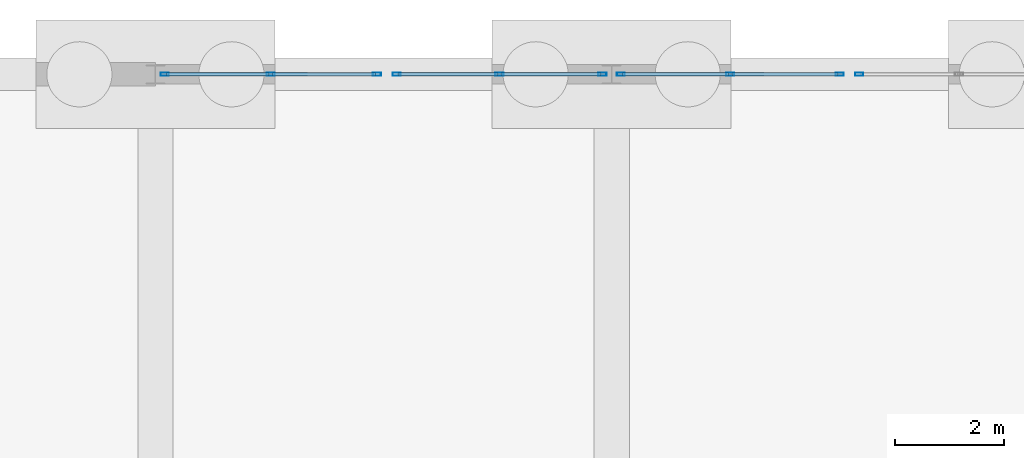
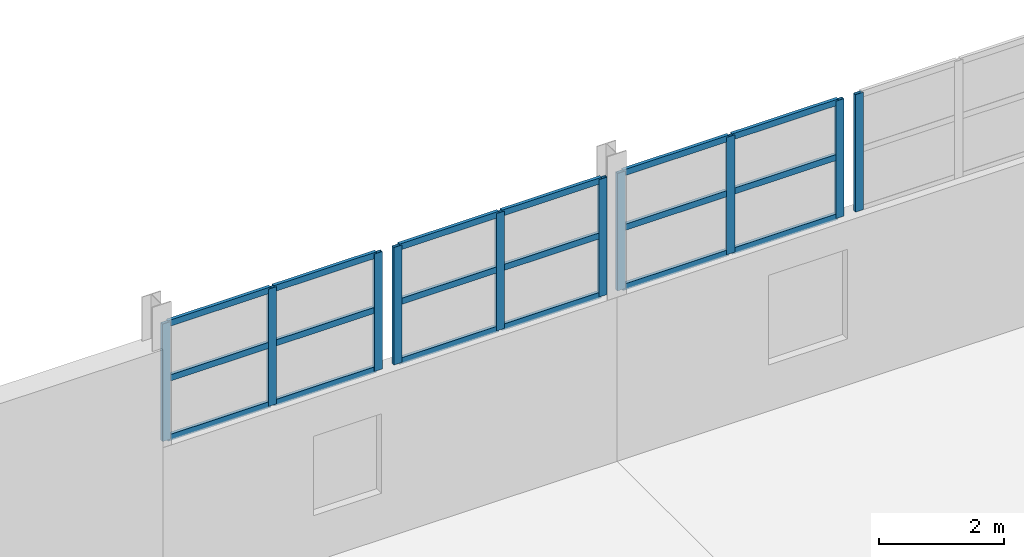
# One storey, part 98 of 139: 28 members, 4 elements without a shape of their own.
"""IFC4 building model written with IfcOpenShell, lengths in metres."""

from ifc_helpers import new_model, si_unit, direction, frame, origin, origin_2d, place, context, subcontext, project, spatial, hollow_rectangle, extrude, material, material_profile, profile_set, type_object, element, aggregate, save


model = new_model("IFC4")

# Units and contexts
model_context = context("Model", 3, precision=1e-05, world=origin(), true_north=direction((0.0, 1.0)))
body_context = subcontext(model_context, "Body", "Model", "MODEL_VIEW")
ifc_project = project(units=[si_unit("LENGTHUNIT", "METRE"), si_unit("AREAUNIT", "SQUARE_METRE"), si_unit("VOLUMEUNIT", "CUBIC_METRE"), si_unit("PLANEANGLEUNIT", "RADIAN"), si_unit("MASSUNIT", "GRAM", prefix="KILO")], contexts=[model_context])

# Site, building, storey
site_placement = place(None, origin())
site = spatial("IfcSite", under=ifc_project, at=site_placement, CompositionType="ELEMENT")
building_placement = place(site_placement, origin())
building = spatial("IfcBuilding", under=site, at=building_placement, Name="Kazenagashi Tramway Depot", CompositionType="ELEMENT")
storey_placement = place(building_placement, origin())
storey = spatial("IfcBuildingStorey", under=building, at=storey_placement, Name="L01", CompositionType="ELEMENT", Elevation=0.0)

# Curtain wall, members
ifc_material_1 = material(Name="Anodised Aluminium and Low-E Glazing", Category="aluminium")
curtain_wall_type_1 = type_object("IfcCurtainWallType", Name="CW-19", PredefinedType="USERDEFINED", material=ifc_material_1)
curtain_wall_1_placement = place(storey_placement, origin())
curtain_wall_1 = element("IfcCurtainWall", 1, at=curtain_wall_1_placement, inside=storey, type_object=curtain_wall_type_1, Name="Industrial Glazed Screen CW-19 CW-0076", ObjectType="GLAZED SCREEN", PredefinedType="USERDEFINED")
ifc_material_2 = material(Name="Anodised Aluminium", Category="aluminium")
ifc_material_profile_1 = material_profile(ifc_material_2, hollow_rectangle(XDim=0.06, YDim=0.15, WallThickness=0.004, at=origin_2d()), Name="RHS-150x60x4")
ifc_profile_set_1 = profile_set([ifc_material_profile_1], Name="Anodised Aluminium")
member_type_1 = type_object("IfcMemberType", Name="ML-01", PredefinedType="MULLION", material=ifc_profile_set_1)
member_1_placement = place(storey_placement, frame((128.97, 130.0, 3.2), z_axis=(0.0, 0.0, 1.0), x_axis=(0.0, 1.0, 0.0)))
member_1 = element("IfcMember", 2, at=member_1_placement, type_object=member_type_1, Name="CW-19 mullion 1", PredefinedType="MULLION", context=body_context, shape_type="SweptSolid", body=[
    extrude(hollow_rectangle(XDim=0.06, YDim=0.15, WallThickness=0.004, at=origin_2d()), origin(), (0.0, 0.0, 1.0), 2.292),
])
member_2_placement = place(storey_placement, frame((130.925, 130.0, 3.2), z_axis=(0.0, 0.0, 1.0), x_axis=(0.0, 1.0, 0.0)))
member_2 = element("IfcMember", 3, at=member_2_placement, type_object=member_type_1, Name="CW-19 mullion 2", PredefinedType="MULLION", context=body_context, shape_type="SweptSolid", body=[
    extrude(hollow_rectangle(XDim=0.06, YDim=0.15, WallThickness=0.004, at=origin_2d()), origin(), (0.0, 0.0, 1.0), 2.292),
])
member_3_placement = place(storey_placement, frame((132.88, 130.0, 3.2), z_axis=(0.0, 0.0, 1.0), x_axis=(0.0, 1.0, 0.0)))
member_3 = element("IfcMember", 4, at=member_3_placement, type_object=member_type_1, Name="CW-19 mullion 3", PredefinedType="MULLION", context=body_context, shape_type="SweptSolid", body=[
    extrude(hollow_rectangle(XDim=0.06, YDim=0.15, WallThickness=0.004, at=origin_2d()), origin(), (0.0, 0.0, 1.0), 2.292),
])

curtain_wall_type_2 = type_object("IfcCurtainWallType", Name="CW-18", PredefinedType="USERDEFINED", material=ifc_material_1)
curtain_wall_2_placement = place(storey_placement, origin())
curtain_wall_2 = element("IfcCurtainWall", 5, at=curtain_wall_2_placement, inside=storey, type_object=curtain_wall_type_2, Name="Industrial Glazed Screen CW-18 CW-0077", ObjectType="GLAZED SCREEN", PredefinedType="USERDEFINED")
member_4_placement = place(storey_placement, frame((133.24, 130.0, 3.2), z_axis=(0.0, 0.0, 1.0), x_axis=(0.0, 1.0, 0.0)))
member_4 = element("IfcMember", 6, at=member_4_placement, type_object=member_type_1, Name="CW-18 mullion 1", PredefinedType="MULLION", context=body_context, shape_type="SweptSolid", body=[
    extrude(hollow_rectangle(XDim=0.06, YDim=0.15, WallThickness=0.004, at=origin_2d()), origin(), (0.0, 0.0, 1.0), 2.292),
])
member_5_placement = place(storey_placement, frame((135.135, 130.0, 3.2), z_axis=(0.0, 0.0, 1.0), x_axis=(0.0, 1.0, 0.0)))
member_5 = element("IfcMember", 7, at=member_5_placement, type_object=member_type_1, Name="CW-18 mullion 2", PredefinedType="MULLION", context=body_context, shape_type="SweptSolid", body=[
    extrude(hollow_rectangle(XDim=0.06, YDim=0.15, WallThickness=0.004, at=origin_2d()), origin(), (0.0, 0.0, 1.0), 2.292),
])
member_6_placement = place(storey_placement, frame((137.03, 130.0, 3.2), z_axis=(0.0, 0.0, 1.0), x_axis=(0.0, 1.0, 0.0)))
member_6 = element("IfcMember", 8, at=member_6_placement, type_object=member_type_1, Name="CW-18 mullion 3", PredefinedType="MULLION", context=body_context, shape_type="SweptSolid", body=[
    extrude(hollow_rectangle(XDim=0.06, YDim=0.15, WallThickness=0.004, at=origin_2d()), origin(), (0.0, 0.0, 1.0), 2.292),
])

curtain_wall_type_3 = type_object("IfcCurtainWallType", Name="CW-16", PredefinedType="USERDEFINED", material=ifc_material_1)
curtain_wall_3_placement = place(storey_placement, origin())
curtain_wall_3 = element("IfcCurtainWall", 9, at=curtain_wall_3_placement, inside=storey, type_object=curtain_wall_type_3, Name="Industrial Glazed Screen CW-16 CW-0079", ObjectType="GLAZED SCREEN", PredefinedType="USERDEFINED")
member_7_placement = place(storey_placement, frame((137.37, 130.0, 3.2), z_axis=(0.0, 0.0, 1.0), x_axis=(0.0, 1.0, 0.0)))
member_7 = element("IfcMember", 10, at=member_7_placement, type_object=member_type_1, Name="CW-16 mullion 1", PredefinedType="MULLION", context=body_context, shape_type="SweptSolid", body=[
    extrude(hollow_rectangle(XDim=0.06, YDim=0.15, WallThickness=0.004, at=origin_2d()), origin(), (0.0, 0.0, 1.0), 2.292),
])
member_8_placement = place(storey_placement, frame((139.385, 130.0, 3.2), z_axis=(0.0, 0.0, 1.0), x_axis=(0.0, 1.0, 0.0)))
member_8 = element("IfcMember", 11, at=member_8_placement, type_object=member_type_1, Name="CW-16 mullion 2", PredefinedType="MULLION", context=body_context, shape_type="SweptSolid", body=[
    extrude(hollow_rectangle(XDim=0.06, YDim=0.15, WallThickness=0.004, at=origin_2d()), origin(), (0.0, 0.0, 1.0), 2.292),
])
member_9_placement = place(storey_placement, frame((141.4, 130.0, 3.2), z_axis=(0.0, 0.0, 1.0), x_axis=(0.0, 1.0, 0.0)))
member_9 = element("IfcMember", 12, at=member_9_placement, type_object=member_type_1, Name="CW-16 mullion 3", PredefinedType="MULLION", context=body_context, shape_type="SweptSolid", body=[
    extrude(hollow_rectangle(XDim=0.06, YDim=0.15, WallThickness=0.004, at=origin_2d()), origin(), (0.0, 0.0, 1.0), 2.292),
])

# Curtain wall, member
curtain_wall_type_4 = type_object("IfcCurtainWallType", Name="CW-17", PredefinedType="USERDEFINED", material=ifc_material_1)
curtain_wall_4_placement = place(storey_placement, origin())
curtain_wall_4 = element("IfcCurtainWall", 13, at=curtain_wall_4_placement, inside=storey, type_object=curtain_wall_type_4, Name="Industrial Glazed Screen CW-17 CW-0080", ObjectType="GLAZED SCREEN", PredefinedType="USERDEFINED")
member_10_placement = place(storey_placement, frame((141.76, 130.0, 3.2), z_axis=(0.0, 0.0, 1.0), x_axis=(0.0, 1.0, 0.0)))
member_10 = element("IfcMember", 14, at=member_10_placement, type_object=member_type_1, Name="CW-17 mullion 1", PredefinedType="MULLION", context=body_context, shape_type="SweptSolid", body=[
    extrude(hollow_rectangle(XDim=0.06, YDim=0.15, WallThickness=0.004, at=origin_2d()), origin(), (0.0, 0.0, 1.0), 2.292),
])
aggregate(curtain_wall_4, [member_10])

# Member
ifc_material_profile_2 = material_profile(ifc_material_2, hollow_rectangle(XDim=0.06, YDim=0.12, WallThickness=0.004, at=origin_2d()), Name="RHS-120x60x4")
ifc_profile_set_2 = profile_set([ifc_material_profile_2], Name="Anodised Aluminium")
member_type_2 = type_object("IfcMemberType", Name="TR-01", PredefinedType="USERDEFINED", material=ifc_profile_set_2)
member_11_placement = place(storey_placement, frame((129.0, 130.0, 3.23), z_axis=(1.0, 0.0, 0.0), x_axis=(0.0, 1.0, 0.0)))
member_11 = element("IfcMember", 15, at=member_11_placement, type_object=member_type_2, Name="CW-19 transom 1.1", ObjectType="TRANSOM", PredefinedType="USERDEFINED", context=body_context, shape_type="SweptSolid", body=[
    extrude(hollow_rectangle(XDim=0.06, YDim=0.12, WallThickness=0.004, at=origin_2d()), origin(), (0.0, 0.0, 1.0), 1.895),
])

member_12_placement = place(storey_placement, frame((129.0, 130.0, 4.392), z_axis=(1.0, 0.0, 0.0), x_axis=(0.0, 1.0, 0.0)))
member_12 = element("IfcMember", 16, at=member_12_placement, type_object=member_type_2, Name="CW-19 transom 1.2", ObjectType="TRANSOM", PredefinedType="USERDEFINED", context=body_context, shape_type="SweptSolid", body=[
    extrude(hollow_rectangle(XDim=0.06, YDim=0.12, WallThickness=0.004, at=origin_2d()), origin(), (0.0, 0.0, 1.0), 1.895),
])

member_13_placement = place(storey_placement, frame((129.0, 130.0, 5.462), z_axis=(1.0, 0.0, 0.0), x_axis=(0.0, 1.0, 0.0)))
member_13 = element("IfcMember", 17, at=member_13_placement, type_object=member_type_2, Name="CW-19 transom 1.3", ObjectType="TRANSOM", PredefinedType="USERDEFINED", context=body_context, shape_type="SweptSolid", body=[
    extrude(hollow_rectangle(XDim=0.06, YDim=0.12, WallThickness=0.004, at=origin_2d()), origin(), (0.0, 0.0, 1.0), 1.895),
])

member_14_placement = place(storey_placement, frame((130.955, 130.0, 3.23), z_axis=(1.0, 0.0, 0.0), x_axis=(0.0, 1.0, 0.0)))
member_14 = element("IfcMember", 18, at=member_14_placement, type_object=member_type_2, Name="CW-19 transom 2.1", ObjectType="TRANSOM", PredefinedType="USERDEFINED", context=body_context, shape_type="SweptSolid", body=[
    extrude(hollow_rectangle(XDim=0.06, YDim=0.12, WallThickness=0.004, at=origin_2d()), origin(), (0.0, 0.0, 1.0), 1.895),
])

member_15_placement = place(storey_placement, frame((130.955, 130.0, 4.392), z_axis=(1.0, 0.0, 0.0), x_axis=(0.0, 1.0, 0.0)))
member_15 = element("IfcMember", 19, at=member_15_placement, type_object=member_type_2, Name="CW-19 transom 2.2", ObjectType="TRANSOM", PredefinedType="USERDEFINED", context=body_context, shape_type="SweptSolid", body=[
    extrude(hollow_rectangle(XDim=0.06, YDim=0.12, WallThickness=0.004, at=origin_2d()), origin(), (0.0, 0.0, 1.0), 1.895),
])

member_16_placement = place(storey_placement, frame((130.955, 130.0, 5.462), z_axis=(1.0, 0.0, 0.0), x_axis=(0.0, 1.0, 0.0)))
member_16 = element("IfcMember", 20, at=member_16_placement, type_object=member_type_2, Name="CW-19 transom 2.3", ObjectType="TRANSOM", PredefinedType="USERDEFINED", context=body_context, shape_type="SweptSolid", body=[
    extrude(hollow_rectangle(XDim=0.06, YDim=0.12, WallThickness=0.004, at=origin_2d()), origin(), (0.0, 0.0, 1.0), 1.895),
])

aggregate(curtain_wall_1, [member_1, member_2, member_3, member_11, member_12, member_13, member_14, member_15, member_16])

member_17_placement = place(storey_placement, frame((133.27, 130.0, 3.23), z_axis=(1.0, 0.0, 0.0), x_axis=(0.0, 1.0, 0.0)))
member_17 = element("IfcMember", 21, at=member_17_placement, type_object=member_type_2, Name="CW-18 transom 1.1", ObjectType="TRANSOM", PredefinedType="USERDEFINED", context=body_context, shape_type="SweptSolid", body=[
    extrude(hollow_rectangle(XDim=0.06, YDim=0.12, WallThickness=0.004, at=origin_2d()), origin(), (0.0, 0.0, 1.0), 1.835),
])

member_18_placement = place(storey_placement, frame((133.27, 130.0, 4.392), z_axis=(1.0, 0.0, 0.0), x_axis=(0.0, 1.0, 0.0)))
member_18 = element("IfcMember", 22, at=member_18_placement, type_object=member_type_2, Name="CW-18 transom 1.2", ObjectType="TRANSOM", PredefinedType="USERDEFINED", context=body_context, shape_type="SweptSolid", body=[
    extrude(hollow_rectangle(XDim=0.06, YDim=0.12, WallThickness=0.004, at=origin_2d()), origin(), (0.0, 0.0, 1.0), 1.835),
])

member_19_placement = place(storey_placement, frame((133.27, 130.0, 5.462), z_axis=(1.0, 0.0, 0.0), x_axis=(0.0, 1.0, 0.0)))
member_19 = element("IfcMember", 23, at=member_19_placement, type_object=member_type_2, Name="CW-18 transom 1.3", ObjectType="TRANSOM", PredefinedType="USERDEFINED", context=body_context, shape_type="SweptSolid", body=[
    extrude(hollow_rectangle(XDim=0.06, YDim=0.12, WallThickness=0.004, at=origin_2d()), origin(), (0.0, 0.0, 1.0), 1.835),
])

member_20_placement = place(storey_placement, frame((135.165, 130.0, 3.23), z_axis=(1.0, 0.0, 0.0), x_axis=(0.0, 1.0, 0.0)))
member_20 = element("IfcMember", 24, at=member_20_placement, type_object=member_type_2, Name="CW-18 transom 2.1", ObjectType="TRANSOM", PredefinedType="USERDEFINED", context=body_context, shape_type="SweptSolid", body=[
    extrude(hollow_rectangle(XDim=0.06, YDim=0.12, WallThickness=0.004, at=origin_2d()), origin(), (0.0, 0.0, 1.0), 1.835),
])

member_21_placement = place(storey_placement, frame((135.165, 130.0, 4.392), z_axis=(1.0, 0.0, 0.0), x_axis=(0.0, 1.0, 0.0)))
member_21 = element("IfcMember", 25, at=member_21_placement, type_object=member_type_2, Name="CW-18 transom 2.2", ObjectType="TRANSOM", PredefinedType="USERDEFINED", context=body_context, shape_type="SweptSolid", body=[
    extrude(hollow_rectangle(XDim=0.06, YDim=0.12, WallThickness=0.004, at=origin_2d()), origin(), (0.0, 0.0, 1.0), 1.835),
])

member_22_placement = place(storey_placement, frame((135.165, 130.0, 5.462), z_axis=(1.0, 0.0, 0.0), x_axis=(0.0, 1.0, 0.0)))
member_22 = element("IfcMember", 26, at=member_22_placement, type_object=member_type_2, Name="CW-18 transom 2.3", ObjectType="TRANSOM", PredefinedType="USERDEFINED", context=body_context, shape_type="SweptSolid", body=[
    extrude(hollow_rectangle(XDim=0.06, YDim=0.12, WallThickness=0.004, at=origin_2d()), origin(), (0.0, 0.0, 1.0), 1.835),
])

aggregate(curtain_wall_2, [member_4, member_5, member_6, member_17, member_18, member_19, member_20, member_21, member_22])

member_23_placement = place(storey_placement, frame((137.4, 130.0, 3.23), z_axis=(1.0, 0.0, 0.0), x_axis=(0.0, 1.0, 0.0)))
member_23 = element("IfcMember", 27, at=member_23_placement, type_object=member_type_2, Name="CW-16 transom 1.1", ObjectType="TRANSOM", PredefinedType="USERDEFINED", context=body_context, shape_type="SweptSolid", body=[
    extrude(hollow_rectangle(XDim=0.06, YDim=0.12, WallThickness=0.004, at=origin_2d()), origin(), (0.0, 0.0, 1.0), 1.955),
])

member_24_placement = place(storey_placement, frame((137.4, 130.0, 4.392), z_axis=(1.0, 0.0, 0.0), x_axis=(0.0, 1.0, 0.0)))
member_24 = element("IfcMember", 28, at=member_24_placement, type_object=member_type_2, Name="CW-16 transom 1.2", ObjectType="TRANSOM", PredefinedType="USERDEFINED", context=body_context, shape_type="SweptSolid", body=[
    extrude(hollow_rectangle(XDim=0.06, YDim=0.12, WallThickness=0.004, at=origin_2d()), origin(), (0.0, 0.0, 1.0), 1.955),
])

member_25_placement = place(storey_placement, frame((137.4, 130.0, 5.462), z_axis=(1.0, 0.0, 0.0), x_axis=(0.0, 1.0, 0.0)))
member_25 = element("IfcMember", 29, at=member_25_placement, type_object=member_type_2, Name="CW-16 transom 1.3", ObjectType="TRANSOM", PredefinedType="USERDEFINED", context=body_context, shape_type="SweptSolid", body=[
    extrude(hollow_rectangle(XDim=0.06, YDim=0.12, WallThickness=0.004, at=origin_2d()), origin(), (0.0, 0.0, 1.0), 1.955),
])

member_26_placement = place(storey_placement, frame((139.415, 130.0, 3.23), z_axis=(1.0, 0.0, 0.0), x_axis=(0.0, 1.0, 0.0)))
member_26 = element("IfcMember", 30, at=member_26_placement, type_object=member_type_2, Name="CW-16 transom 2.1", ObjectType="TRANSOM", PredefinedType="USERDEFINED", context=body_context, shape_type="SweptSolid", body=[
    extrude(hollow_rectangle(XDim=0.06, YDim=0.12, WallThickness=0.004, at=origin_2d()), origin(), (0.0, 0.0, 1.0), 1.955),
])

member_27_placement = place(storey_placement, frame((139.415, 130.0, 4.392), z_axis=(1.0, 0.0, 0.0), x_axis=(0.0, 1.0, 0.0)))
member_27 = element("IfcMember", 31, at=member_27_placement, type_object=member_type_2, Name="CW-16 transom 2.2", ObjectType="TRANSOM", PredefinedType="USERDEFINED", context=body_context, shape_type="SweptSolid", body=[
    extrude(hollow_rectangle(XDim=0.06, YDim=0.12, WallThickness=0.004, at=origin_2d()), origin(), (0.0, 0.0, 1.0), 1.955),
])

member_28_placement = place(storey_placement, frame((139.415, 130.0, 5.462), z_axis=(1.0, 0.0, 0.0), x_axis=(0.0, 1.0, 0.0)))
member_28 = element("IfcMember", 32, at=member_28_placement, type_object=member_type_2, Name="CW-16 transom 2.3", ObjectType="TRANSOM", PredefinedType="USERDEFINED", context=body_context, shape_type="SweptSolid", body=[
    extrude(hollow_rectangle(XDim=0.06, YDim=0.12, WallThickness=0.004, at=origin_2d()), origin(), (0.0, 0.0, 1.0), 1.955),
])

aggregate(curtain_wall_3, [member_7, member_8, member_9, member_23, member_24, member_25, member_26, member_27, member_28])

save(model, "model.ifc")
